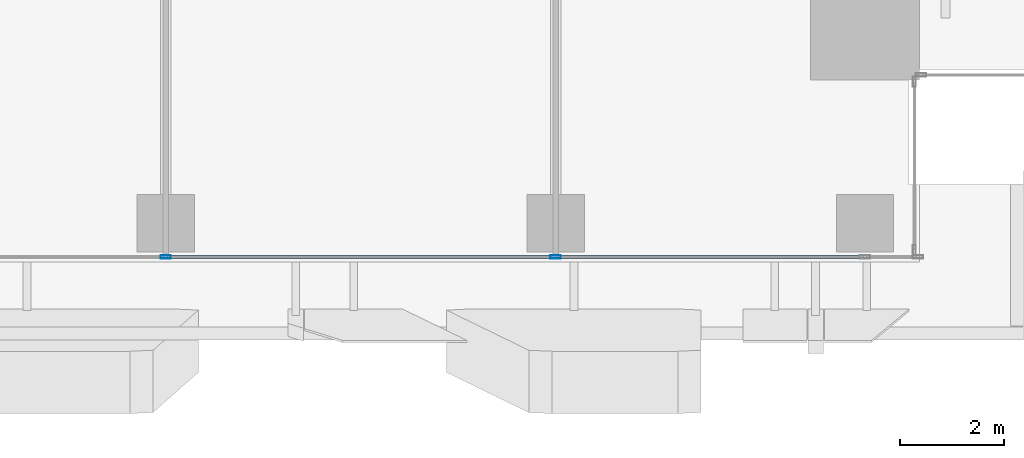
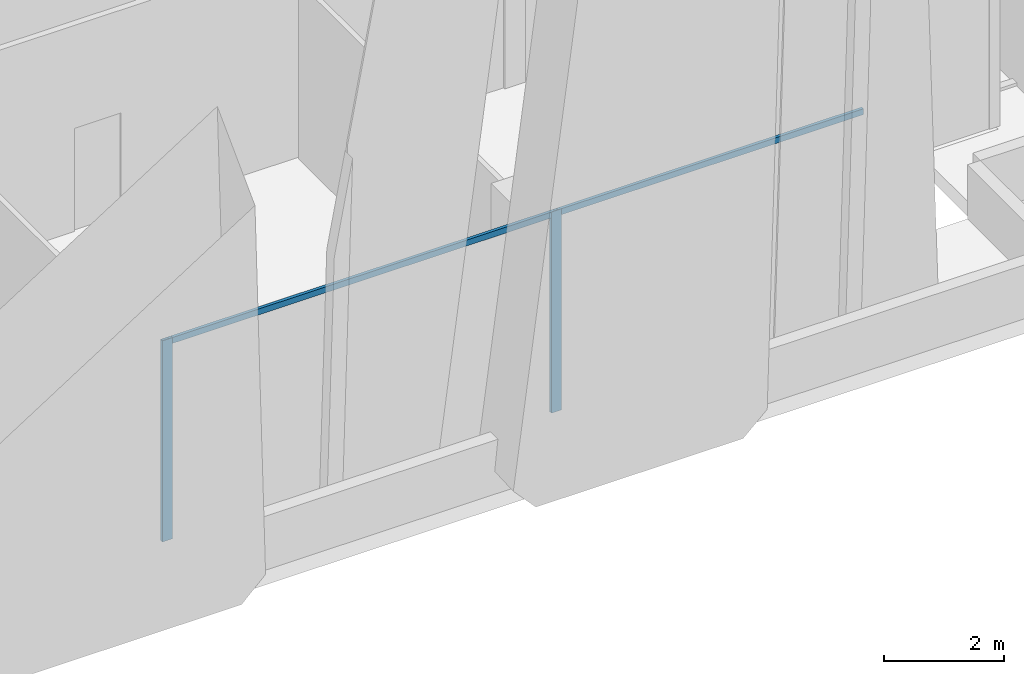
# One storey, part 7 of 37: 4 members, 1 element without a shape of its own.
"""IFC4 building model written with IfcOpenShell, lengths in metres."""

from ifc_helpers import new_model, si_unit, direction, frame, origin, origin_2d, place, context, subcontext, project, spatial, hollow_rectangle, extrude, source, transform, mapped, material, material_profile, profile_set, type_object, element, aggregate, save


model = new_model("IFC4")

# Units and contexts
model_context = context("Model", 3, precision=1e-05, world=origin(), true_north=direction((0.0, 1.0)))
body_context = subcontext(model_context, "Body", "Model", "MODEL_VIEW")
ifc_project = project(units=[si_unit("LENGTHUNIT", "METRE"), si_unit("AREAUNIT", "SQUARE_METRE"), si_unit("VOLUMEUNIT", "CUBIC_METRE"), si_unit("PLANEANGLEUNIT", "RADIAN"), si_unit("MASSUNIT", "GRAM", prefix="KILO")], contexts=[model_context])

# Site, building, storey
site_placement = place(None, origin())
site = spatial("IfcSite", under=ifc_project, at=site_placement, CompositionType="ELEMENT")
building_placement = place(site_placement, origin())
building = spatial("IfcBuilding", under=site, at=building_placement, Name="Khomas Fold Tower", CompositionType="ELEMENT")
storey_placement = place(building_placement, frame((0.0, 0.0, 101.5)))
storey = spatial("IfcBuildingStorey", under=building, at=storey_placement, Name="L21", CompositionType="ELEMENT", Elevation=101.5)

# Curtain wall, members
ifc_material_1 = material(Name="Aluminium framed double glazing", Category="aluminium")
curtain_wall_type = type_object("IfcCurtainWallType", Name="SK-Unitised clear-glass wall, growing floors CW1", PredefinedType="NOTDEFINED", material=ifc_material_1)
curtain_wall_placement = place(storey_placement, origin())
curtain_wall = element("IfcCurtainWall", 1, at=curtain_wall_placement, inside=storey, type_object=curtain_wall_type, Name="CW1 run L21 00-0", PredefinedType="NOTDEFINED")
ifc_material_2 = material(Name="Aluminium", Category="aluminium")
ifc_material_profile_1 = material_profile(ifc_material_2, hollow_rectangle(XDim=0.06005859375, YDim=0.1201171875, WallThickness=0.00390625, at=origin_2d()), Name="SK-Unitised clear-glass wall, growing floors transom CW1-T")
ifc_profile_set_1 = profile_set([ifc_material_profile_1], Name="Aluminium")
member_type_1 = type_object("IfcMemberType", Name="SK-Unitised clear-glass wall, growing floors transom CW1-T", PredefinedType="USERDEFINED", material=ifc_profile_set_1)
shared_shape_1 = source(origin(), body_context, "Body", "SweptSolid", [
    extrude(hollow_rectangle(XDim=0.06005859375, YDim=0.1201171875, WallThickness=0.00390625, at=origin_2d()), origin(), (0.0, 0.0, 1.0), 7.43994140625),
])
member_1_placement = place(storey_placement, frame((34.530029296875, 1.60009765625, 4.0400390625), z_axis=(1.0, 0.0, 0.0), x_axis=(0.0, 1.0, 0.0)))
member_1 = element("IfcMember", 2, at=member_1_placement, type_object=member_type_1, Name="CW1 transom 6", ObjectType="TRANSOM", PredefinedType="USERDEFINED", context=body_context, shape_type="MappedRepresentation", body=[
    mapped(shared_shape_1, transform((0.0, 0.0, 0.0))),
])
ifc_material_3 = material(Name="Aluminium", Category="aluminium")
ifc_material_profile_2 = material_profile(ifc_material_3, hollow_rectangle(XDim=0.06005859375, YDim=0.199951171875, WallThickness=0.00390625, at=origin_2d()), Name="SK-Unitised clear-glass wall, growing floors mullion CW1-M")
ifc_profile_set_2 = profile_set([ifc_material_profile_2], Name="Aluminium")
member_type_2 = type_object("IfcMemberType", Name="SK-Unitised clear-glass wall, growing floors mullion CW1-M", PredefinedType="MULLION", material=ifc_profile_set_2)
shared_shape_2 = source(origin(), body_context, "Body", "SweptSolid", [
    extrude(hollow_rectangle(XDim=0.06005859375, YDim=0.199951171875, WallThickness=0.00390625, at=origin_2d()), origin(), (0.0, 0.0, 1.0), 4.10009765625),
])
member_2_placement = place(storey_placement, frame((34.5, 1.60009765625, 0.0), z_axis=(0.0, 0.0, 1.0), x_axis=(0.0, 1.0, 0.0)))
member_2 = element("IfcMember", 3, at=member_2_placement, type_object=member_type_2, Name="CW1 mullion 6", PredefinedType="MULLION", context=body_context, shape_type="MappedRepresentation", body=[
    mapped(shared_shape_2, transform((0.0, 0.0, 0.0))),
])
member_3_placement = place(storey_placement, frame((42.0, 1.60009765625, 0.0), z_axis=(0.0, 0.0, 1.0), x_axis=(0.0, 1.0, 0.0)))
member_3 = element("IfcMember", 4, at=member_3_placement, type_object=member_type_2, Name="CW1 mullion 7", PredefinedType="MULLION", context=body_context, shape_type="MappedRepresentation", body=[
    mapped(shared_shape_2, transform((0.0, 0.0, 0.0))),
])
shared_shape_3 = source(origin(), body_context, "Body", "SweptSolid", [
    extrude(hollow_rectangle(XDim=0.06005859375, YDim=0.1201171875, WallThickness=0.00390625, at=origin_2d()), origin(), (0.0, 0.0, 1.0), 5.889892578125),
])
member_4_placement = place(storey_placement, frame((42.030029296875, 1.60009765625, 4.0400390625), z_axis=(1.0, 0.0, 0.0), x_axis=(0.0, 1.0, 0.0)))
member_4 = element("IfcMember", 5, at=member_4_placement, type_object=member_type_1, Name="CW1 transom 7", ObjectType="TRANSOM", PredefinedType="USERDEFINED", context=body_context, shape_type="MappedRepresentation", body=[
    mapped(shared_shape_3, transform((0.0, 0.0, 0.0))),
])
aggregate(curtain_wall, [member_2, member_3, member_1, member_4])

save(model, "model.ifc")
